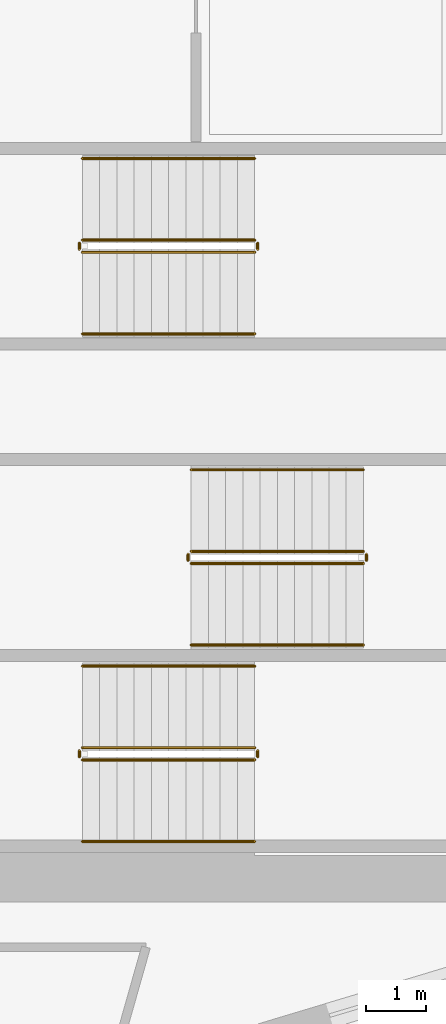
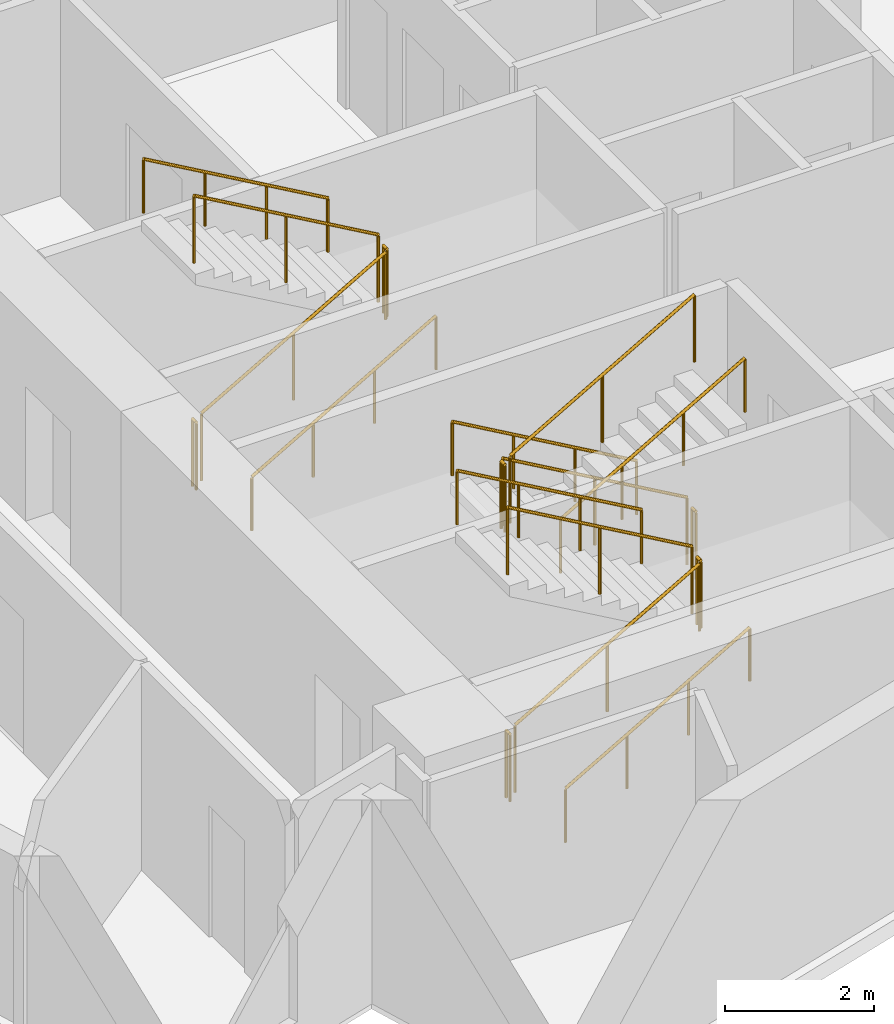
# One storey, part 14 of 15: 18 railings.
"""IFC4 building model written with IfcOpenShell, lengths in metres."""

from ifc_helpers import new_model, si_unit, direction, frame, origin, origin_2d, place, context, subcontext, project, spatial, circle, extrude, material, type_object, element, save


model = new_model("IFC4")

# Units and contexts
model_context = context("Model", 3, precision=1e-05, world=origin(), true_north=direction((0.0, 1.0)))
body_context = subcontext(model_context, "Body", "Model", "MODEL_VIEW")
ifc_project = project(units=[si_unit("LENGTHUNIT", "METRE"), si_unit("AREAUNIT", "SQUARE_METRE"), si_unit("VOLUMEUNIT", "CUBIC_METRE"), si_unit("PLANEANGLEUNIT", "RADIAN"), si_unit("MASSUNIT", "GRAM", prefix="KILO")], contexts=[model_context])

# Site, building, storey
site_placement = place(None, origin())
site = spatial("IfcSite", under=ifc_project, at=site_placement, CompositionType="ELEMENT")
building_placement = place(site_placement, origin())
building = spatial("IfcBuilding", under=site, at=building_placement, Name="Narakoshi Arena Tower", CompositionType="ELEMENT")
storey_placement = place(building_placement, frame((0.0, 0.0, 143.10009765625)))
storey = spatial("IfcBuildingStorey", under=building, at=storey_placement, Name="L38", CompositionType="ELEMENT", Elevation=143.10009765625)

# Railings
ifc_material_1 = material(Name="Clear low-iron laminated structural glass", Category="glass")
railing_type_1 = type_object("IfcRailingType", Name="RL-BAL-1100", PredefinedType="BALUSTRADE", material=ifc_material_1)
railing_1_placement = place(storey_placement, frame((74.39990234375, 36.949951171875, 0.16357421875)))
element("IfcRailing", 1, at=railing_1_placement, inside=storey, type_object=railing_type_1, Name="L38 ST1 stair guard 1", PredefinedType="BALUSTRADE", context=body_context, shape_type="SweptSolid", body=[
    extrude(circle(Radius=0.02392578125, at=origin_2d()), frame((0.0, 0.0, 1.09619140625), z_axis=(0.867244780686, 0.0, 0.497882004468), x_axis=(0.0, 1.0, 0.0)), (0.0, 0.0, 1.0), 3.286376953125),
    extrude(circle(Radius=0.02099609375, at=origin_2d()), origin(), (0.0, 0.0, 1.0), 1.072021484375),
    extrude(circle(Radius=0.02099609375, at=origin_2d()), frame((1.425048828125, 0.0, 0.818115234375)), (0.0, 0.0, 1.0), 1.072021484375),
    extrude(circle(Radius=0.02099609375, at=origin_2d()), frame((2.85009765625, 0.0, 1.63623046875)), (0.0, 0.0, 1.0), 1.072021484375),
])
railing_2_placement = place(storey_placement, frame((77.300048828125, 37.0, 1.7998046875)))
element("IfcRailing", 2, at=railing_2_placement, inside=storey, type_object=railing_type_1, Name="L38 ST1 stair guard 2", PredefinedType="BALUSTRADE", context=body_context, shape_type="SweptSolid", body=[
    extrude(circle(Radius=0.02392578125, at=origin_2d()), frame((0.0, 0.0, 1.09619140625), z_axis=(0.0, 1.0, 0.0), x_axis=(-1.0, 0.0, 0.0)), (0.0, 0.0, 1.0), 0.10009765625),
    extrude(circle(Radius=0.02099609375, at=origin_2d()), origin(), (0.0, 0.0, 1.0), 1.072021484375),
    extrude(circle(Radius=0.02099609375, at=origin_2d()), frame((0.0, 0.10009765625, 0.0)), (0.0, 0.0, 1.0), 1.072021484375),
])
railing_3_placement = place(storey_placement, frame((77.25, 37.14990234375, 1.963623046875)))
element("IfcRailing", 3, at=railing_3_placement, inside=storey, type_object=railing_type_1, Name="L38 ST1 stair guard 3", PredefinedType="BALUSTRADE", context=body_context, shape_type="SweptSolid", body=[
    extrude(circle(Radius=0.02392578125, at=origin_2d()), frame((0.0, 0.0, 1.09619140625), z_axis=(-0.867244780686, 0.0, 0.497882004468), x_axis=(0.0, -1.0, 0.0)), (0.0, 0.0, 1.0), 3.286376953125),
    extrude(circle(Radius=0.02099609375, at=origin_2d()), origin(), (0.0, 0.0, 1.0), 1.072021484375),
    extrude(circle(Radius=0.02099609375, at=origin_2d()), frame((-1.425048828125, 0.0, 0.818115234375)), (0.0, 0.0, 1.0), 1.072021484375),
    extrude(circle(Radius=0.02099609375, at=origin_2d()), frame((-2.85009765625, 0.0, 1.63623046875)), (0.0, 0.0, 1.0), 1.072021484375),
])
railing_4_placement = place(storey_placement, frame((74.35009765625, 37.0, 0.0)))
element("IfcRailing", 4, at=railing_4_placement, inside=storey, type_object=railing_type_1, Name="L38 ST1 stair guard 4", PredefinedType="BALUSTRADE", context=body_context, shape_type="SweptSolid", body=[
    extrude(circle(Radius=0.02392578125, at=origin_2d()), frame((0.0, 0.0, 1.09619140625), z_axis=(0.0, 1.0, 0.0), x_axis=(-1.0, 0.0, 0.0)), (0.0, 0.0, 1.0), 0.10009765625),
    extrude(circle(Radius=0.02099609375, at=origin_2d()), origin(), (0.0, 0.0, 1.0), 1.072021484375),
    extrude(circle(Radius=0.02099609375, at=origin_2d()), frame((0.0, 0.10009765625, 0.0)), (0.0, 0.0, 1.0), 1.072021484375),
])
railing_5_placement = place(storey_placement, frame((79.050048828125, 40.39990234375, 0.16357421875)))
element("IfcRailing", 5, at=railing_5_placement, inside=storey, type_object=railing_type_1, Name="L38 ST2 stair guard 1", PredefinedType="BALUSTRADE", context=body_context, shape_type="SweptSolid", body=[
    extrude(circle(Radius=0.02392578125, at=origin_2d()), frame((0.0, 0.0, 1.09619140625), z_axis=(-0.867244780686, 0.0, 0.497882004468), x_axis=(0.0, -1.0, 0.0)), (0.0, 0.0, 1.0), 3.286376953125),
    extrude(circle(Radius=0.02099609375, at=origin_2d()), origin(), (0.0, 0.0, 1.0), 1.072021484375),
    extrude(circle(Radius=0.02099609375, at=origin_2d()), frame((-1.425048828125, 0.0, 0.818115234375)), (0.0, 0.0, 1.0), 1.072021484375),
    extrude(circle(Radius=0.02099609375, at=origin_2d()), frame((-2.85009765625, 0.0, 1.63623046875)), (0.0, 0.0, 1.0), 1.072021484375),
])
railing_6_placement = place(storey_placement, frame((76.14990234375, 40.35009765625, 1.7998046875)))
element("IfcRailing", 6, at=railing_6_placement, inside=storey, type_object=railing_type_1, Name="L38 ST2 stair guard 2", PredefinedType="BALUSTRADE", context=body_context, shape_type="SweptSolid", body=[
    extrude(circle(Radius=0.02392578125, at=origin_2d()), frame((0.0, 0.0, 1.09619140625), z_axis=(0.0, -1.0, 0.0), x_axis=(1.0, 0.0, 0.0)), (0.0, 0.0, 1.0), 0.10009765625),
    extrude(circle(Radius=0.02099609375, at=origin_2d()), origin(), (0.0, 0.0, 1.0), 1.072021484375),
    extrude(circle(Radius=0.02099609375, at=origin_2d()), frame((0.0, -0.10009765625, 0.0)), (0.0, 0.0, 1.0), 1.072021484375),
])
railing_7_placement = place(storey_placement, frame((76.199951171875, 40.199951171875, 1.963623046875)))
element("IfcRailing", 7, at=railing_7_placement, inside=storey, type_object=railing_type_1, Name="L38 ST2 stair guard 3", PredefinedType="BALUSTRADE", context=body_context, shape_type="SweptSolid", body=[
    extrude(circle(Radius=0.02392578125, at=origin_2d()), frame((0.0, 0.0, 1.09619140625), z_axis=(0.867244780686, 0.0, 0.497882004468), x_axis=(0.0, 1.0, 0.0)), (0.0, 0.0, 1.0), 3.286376953125),
    extrude(circle(Radius=0.02099609375, at=origin_2d()), origin(), (0.0, 0.0, 1.0), 1.072021484375),
    extrude(circle(Radius=0.02099609375, at=origin_2d()), frame((1.425048828125, 0.0, 0.818115234375)), (0.0, 0.0, 1.0), 1.072021484375),
    extrude(circle(Radius=0.02099609375, at=origin_2d()), frame((2.85009765625, 0.0, 1.63623046875)), (0.0, 0.0, 1.0), 1.072021484375),
])
railing_8_placement = place(storey_placement, frame((79.10009765625, 40.35009765625, 0.0)))
element("IfcRailing", 8, at=railing_8_placement, inside=storey, type_object=railing_type_1, Name="L38 ST2 stair guard 4", PredefinedType="BALUSTRADE", context=body_context, shape_type="SweptSolid", body=[
    extrude(circle(Radius=0.02392578125, at=origin_2d()), frame((0.0, 0.0, 1.09619140625), z_axis=(0.0, -1.0, 0.0), x_axis=(1.0, 0.0, 0.0)), (0.0, 0.0, 1.0), 0.10009765625),
    extrude(circle(Radius=0.02099609375, at=origin_2d()), origin(), (0.0, 0.0, 1.0), 1.072021484375),
    extrude(circle(Radius=0.02099609375, at=origin_2d()), frame((0.0, -0.10009765625, 0.0)), (0.0, 0.0, 1.0), 1.072021484375),
])
railing_9_placement = place(storey_placement, frame((74.39990234375, 45.35009765625, 0.16357421875)))
element("IfcRailing", 9, at=railing_9_placement, inside=storey, type_object=railing_type_1, Name="L38 ST3 stair guard 1", PredefinedType="BALUSTRADE", context=body_context, shape_type="SweptSolid", body=[
    extrude(circle(Radius=0.02392578125, at=origin_2d()), frame((0.0, 0.0, 1.09619140625), z_axis=(0.867244780686, 0.0, 0.497882004468), x_axis=(0.0, 1.0, 0.0)), (0.0, 0.0, 1.0), 3.286376953125),
    extrude(circle(Radius=0.02099609375, at=origin_2d()), origin(), (0.0, 0.0, 1.0), 1.072021484375),
    extrude(circle(Radius=0.02099609375, at=origin_2d()), frame((1.425048828125, 0.0, 0.818115234375)), (0.0, 0.0, 1.0), 1.072021484375),
    extrude(circle(Radius=0.02099609375, at=origin_2d()), frame((2.85009765625, 0.0, 1.63623046875)), (0.0, 0.0, 1.0), 1.072021484375),
])
railing_10_placement = place(storey_placement, frame((77.300048828125, 45.39990234375, 1.7998046875)))
element("IfcRailing", 10, at=railing_10_placement, inside=storey, type_object=railing_type_1, Name="L38 ST3 stair guard 2", PredefinedType="BALUSTRADE", context=body_context, shape_type="SweptSolid", body=[
    extrude(circle(Radius=0.02392578125, at=origin_2d()), frame((0.0, 0.0, 1.09619140625), z_axis=(0.0, 1.0, 0.0), x_axis=(-1.0, 0.0, 0.0)), (0.0, 0.0, 1.0), 0.10009765625),
    extrude(circle(Radius=0.02099609375, at=origin_2d()), origin(), (0.0, 0.0, 1.0), 1.072021484375),
    extrude(circle(Radius=0.02099609375, at=origin_2d()), frame((0.0, 0.10009765625, 0.0)), (0.0, 0.0, 1.0), 1.072021484375),
])
railing_11_placement = place(storey_placement, frame((77.25, 45.550048828125, 1.963623046875)))
element("IfcRailing", 11, at=railing_11_placement, inside=storey, type_object=railing_type_1, Name="L38 ST3 stair guard 3", PredefinedType="BALUSTRADE", context=body_context, shape_type="SweptSolid", body=[
    extrude(circle(Radius=0.02392578125, at=origin_2d()), frame((0.0, 0.0, 1.09619140625), z_axis=(-0.867244780686, 0.0, 0.497882004468), x_axis=(0.0, -1.0, 0.0)), (0.0, 0.0, 1.0), 3.286376953125),
    extrude(circle(Radius=0.02099609375, at=origin_2d()), origin(), (0.0, 0.0, 1.0), 1.072021484375),
    extrude(circle(Radius=0.02099609375, at=origin_2d()), frame((-1.425048828125, 0.0, 0.818115234375)), (0.0, 0.0, 1.0), 1.072021484375),
    extrude(circle(Radius=0.02099609375, at=origin_2d()), frame((-2.85009765625, 0.0, 1.63623046875)), (0.0, 0.0, 1.0), 1.072021484375),
])
railing_12_placement = place(storey_placement, frame((74.35009765625, 45.39990234375, 0.0)))
element("IfcRailing", 12, at=railing_12_placement, inside=storey, type_object=railing_type_1, Name="L38 ST3 stair guard 4", PredefinedType="BALUSTRADE", context=body_context, shape_type="SweptSolid", body=[
    extrude(circle(Radius=0.02392578125, at=origin_2d()), frame((0.0, 0.0, 1.09619140625), z_axis=(0.0, 1.0, 0.0), x_axis=(-1.0, 0.0, 0.0)), (0.0, 0.0, 1.0), 0.10009765625),
    extrude(circle(Radius=0.02099609375, at=origin_2d()), origin(), (0.0, 0.0, 1.0), 1.072021484375),
    extrude(circle(Radius=0.02099609375, at=origin_2d()), frame((0.0, 0.10009765625, 0.0)), (0.0, 0.0, 1.0), 1.072021484375),
])
ifc_material_2 = material(Name="Brushed bronze stainless steel", Category="steel")
railing_type_2 = type_object("IfcRailingType", Name="RL-HND-900", PredefinedType="HANDRAIL", material=ifc_material_2)
railing_13_placement = place(storey_placement, frame((74.39990234375, 35.60009765625, 0.16357421875)))
element("IfcRailing", 13, at=railing_13_placement, inside=storey, type_object=railing_type_2, Name="L38 ST1 stair handrail 1", PredefinedType="HANDRAIL", context=body_context, shape_type="SweptSolid", body=[
    extrude(circle(Radius=0.02392578125, at=origin_2d()), frame((0.0, 0.0, 0.8759765625), z_axis=(0.867244780686, 0.0, 0.497882004468), x_axis=(0.0, 1.0, 0.0)), (0.0, 0.0, 1.0), 3.286376953125),
    extrude(circle(Radius=0.02099609375, at=origin_2d()), origin(), (0.0, 0.0, 1.0), 0.851806640625),
    extrude(circle(Radius=0.02099609375, at=origin_2d()), frame((0.949951171875, 0.0, 0.54541015625)), (0.0, 0.0, 1.0), 0.851806640625),
    extrude(circle(Radius=0.02099609375, at=origin_2d()), frame((1.900146484375, 0.0, 1.0908203125)), (0.0, 0.0, 1.0), 0.851806640625),
    extrude(circle(Radius=0.02099609375, at=origin_2d()), frame((2.85009765625, 0.0, 1.63623046875)), (0.0, 0.0, 1.0), 0.851806640625),
])
for number, where, name in (
    (14, (77.25, 38.5, 1.963623046875), "L38 ST1 stair handrail 2"),
    (15, (79.050048828125, 41.75, 0.16357421875), "L38 ST2 stair handrail 1"),
):
    element("IfcRailing", number, at=place(storey_placement, frame(where)), inside=storey, type_object=railing_type_2, Name=name, PredefinedType="HANDRAIL", context=body_context, shape_type="SweptSolid", body=[
        extrude(circle(Radius=0.02392578125, at=origin_2d()), frame((0.0, 0.0, 0.8759765625), z_axis=(-0.867244780686, 0.0, 0.497882004468), x_axis=(0.0, -1.0, 0.0)), (0.0, 0.0, 1.0), 3.286376953125),
        extrude(circle(Radius=0.02099609375, at=origin_2d()), origin(), (0.0, 0.0, 1.0), 0.851806640625),
        extrude(circle(Radius=0.02099609375, at=origin_2d()), frame((-0.949951171875, 0.0, 0.54541015625)), (0.0, 0.0, 1.0), 0.851806640625),
        extrude(circle(Radius=0.02099609375, at=origin_2d()), frame((-1.900146484375, 0.0, 1.0908203125)), (0.0, 0.0, 1.0), 0.851806640625),
        extrude(circle(Radius=0.02099609375, at=origin_2d()), frame((-2.85009765625, 0.0, 1.63623046875)), (0.0, 0.0, 1.0), 0.851806640625),
    ])
for number, where, name in (
    (16, (76.199951171875, 38.85009765625, 1.963623046875), "L38 ST2 stair handrail 2"),
    (17, (74.39990234375, 44.0, 0.16357421875), "L38 ST3 stair handrail 1"),
):
    element("IfcRailing", number, at=place(storey_placement, frame(where)), inside=storey, type_object=railing_type_2, Name=name, PredefinedType="HANDRAIL", context=body_context, shape_type="SweptSolid", body=[
        extrude(circle(Radius=0.02392578125, at=origin_2d()), frame((0.0, 0.0, 0.8759765625), z_axis=(0.867244780686, 0.0, 0.497882004468), x_axis=(0.0, 1.0, 0.0)), (0.0, 0.0, 1.0), 3.286376953125),
        extrude(circle(Radius=0.02099609375, at=origin_2d()), origin(), (0.0, 0.0, 1.0), 0.851806640625),
        extrude(circle(Radius=0.02099609375, at=origin_2d()), frame((0.949951171875, 0.0, 0.54541015625)), (0.0, 0.0, 1.0), 0.851806640625),
        extrude(circle(Radius=0.02099609375, at=origin_2d()), frame((1.900146484375, 0.0, 1.0908203125)), (0.0, 0.0, 1.0), 0.851806640625),
        extrude(circle(Radius=0.02099609375, at=origin_2d()), frame((2.85009765625, 0.0, 1.63623046875)), (0.0, 0.0, 1.0), 0.851806640625),
    ])
railing_14_placement = place(storey_placement, frame((77.25, 46.89990234375, 1.963623046875)))
element("IfcRailing", 18, at=railing_14_placement, inside=storey, type_object=railing_type_2, Name="L38 ST3 stair handrail 2", PredefinedType="HANDRAIL", context=body_context, shape_type="SweptSolid", body=[
    extrude(circle(Radius=0.02392578125, at=origin_2d()), frame((0.0, 0.0, 0.8759765625), z_axis=(-0.867244780686, 0.0, 0.497882004468), x_axis=(0.0, -1.0, 0.0)), (0.0, 0.0, 1.0), 3.286376953125),
    extrude(circle(Radius=0.02099609375, at=origin_2d()), origin(), (0.0, 0.0, 1.0), 0.851806640625),
    extrude(circle(Radius=0.02099609375, at=origin_2d()), frame((-0.949951171875, 0.0, 0.54541015625)), (0.0, 0.0, 1.0), 0.851806640625),
    extrude(circle(Radius=0.02099609375, at=origin_2d()), frame((-1.900146484375, 0.0, 1.0908203125)), (0.0, 0.0, 1.0), 0.851806640625),
    extrude(circle(Radius=0.02099609375, at=origin_2d()), frame((-2.85009765625, 0.0, 1.63623046875)), (0.0, 0.0, 1.0), 0.851806640625),
])

save(model, "model.ifc")
